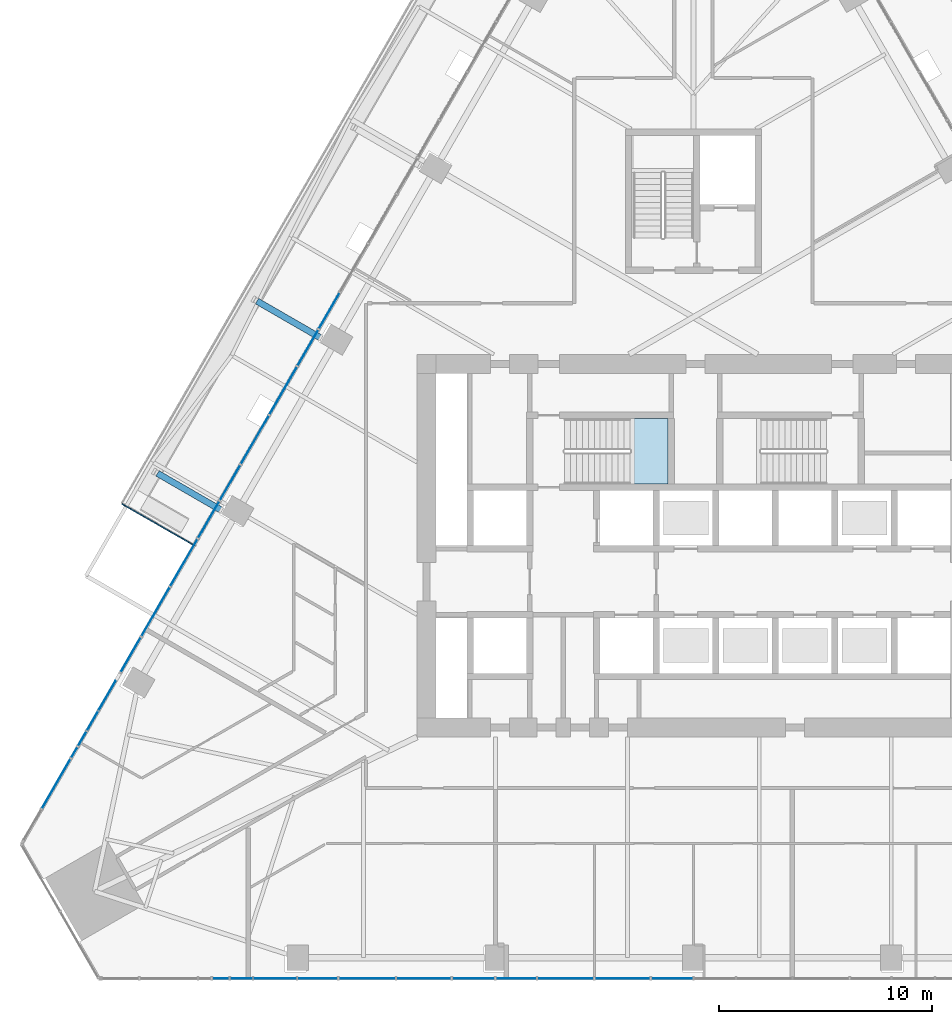
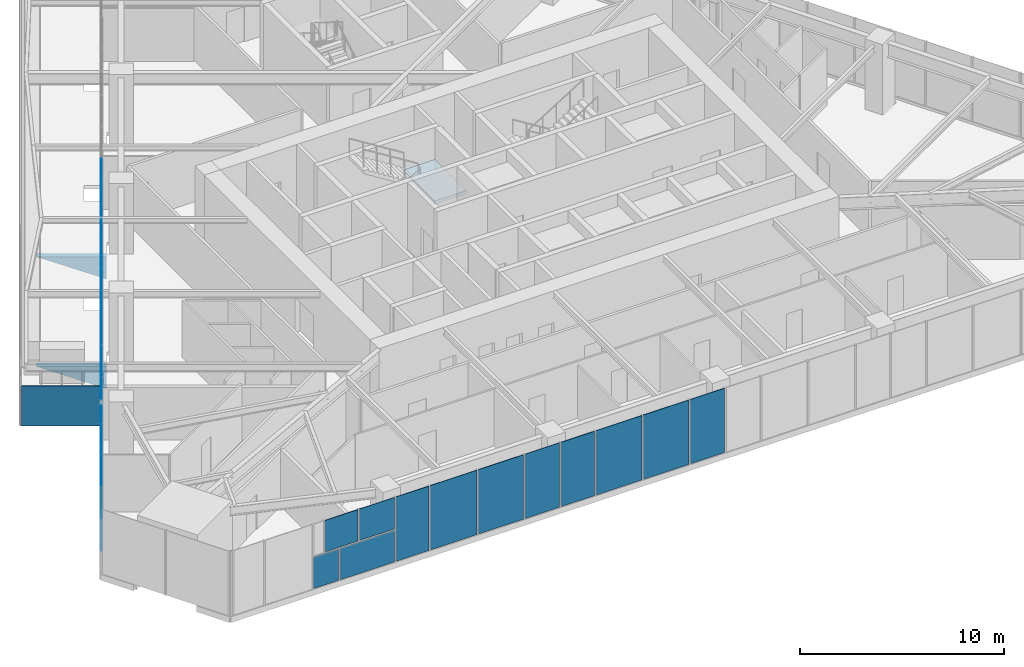
# One storey, part 11 of 26: 30 plates, 1 slab, 3 elements without a shape of their own.
"""IFC4 building model written with IfcOpenShell, lengths in metres."""

from ifc_helpers import new_model, si_unit, direction, frame, origin, place, context, subcontext, project, spatial, polyline, outline, extrude, material, layer, layer_set, type_object, element, aggregate, save


model = new_model("IFC4")

# Units and contexts
model_context = context("Model", 3, precision=1e-05, world=origin(), true_north=direction((0.0, 1.0)))
body_context = subcontext(model_context, "Body", "Model", "MODEL_VIEW")
ifc_project = project(units=[si_unit("LENGTHUNIT", "METRE"), si_unit("AREAUNIT", "SQUARE_METRE"), si_unit("VOLUMEUNIT", "CUBIC_METRE"), si_unit("PLANEANGLEUNIT", "RADIAN"), si_unit("MASSUNIT", "GRAM", prefix="KILO")], contexts=[model_context])

# Site, building, storey
site_placement = place(None, origin())
site = spatial("IfcSite", under=ifc_project, at=site_placement, CompositionType="ELEMENT")
building_placement = place(site_placement, origin())
building = spatial("IfcBuilding", under=site, at=building_placement, Name="Firuza Gate Tower and Library", CompositionType="ELEMENT")
storey_placement = place(building_placement, frame((0.0, 0.0, 115.60009765625)))
storey = spatial("IfcBuildingStorey", under=building, at=storey_placement, Name="L26", CompositionType="ELEMENT", Elevation=115.60009765625)

# Curtain wall, plates
ifc_material_1 = material(Name="Aluminium 6063-T6", Category="aluminium")
ifc_layer_1 = layer(ifc_material_1, 0.14990234375)
ifc_layer_set_1 = layer_set([ifc_layer_1], Name="Unitised curtain wall, offices")
curtain_wall_type = type_object("IfcCurtainWallType", Name="Unitised curtain wall, offices", PredefinedType="NOTDEFINED", material=ifc_layer_set_1)
placement = place(storey_placement, origin())
curtain_wall_1 = element("IfcCurtainWall", 1, at=placement, inside=storey, type_object=curtain_wall_type, Name="CW1 L26 S face", PredefinedType="NOTDEFINED")
ifc_material_2 = material(Name="Fritted glass", Category="glass")
ifc_layer_2 = layer(ifc_material_2, 0.030029296875)
ifc_layer_set_2 = layer_set([ifc_layer_2], Name="Fritted glass unit, offices")
plate_type_1 = type_object("IfcPlateType", Name="Fritted glass unit, offices", PredefinedType="CURTAIN_PANEL", material=ifc_layer_set_2)
plate_1_placement = place(storey_placement, frame((53.233154296875, 54.63623046875, 0.14990234375), z_axis=(0.0, -1.0, 0.0), x_axis=(1.0, 0.0, 0.0)))
plate_1 = element("IfcPlate", 2, at=plate_1_placement, type_object=plate_type_1, Name="Glass unit", PredefinedType="CURTAIN_PANEL", context=body_context, shape_type="SweptSolid", body=[
    extrude(outline(polyline([(0.0, 0.0), (3.087890625, 0.0), (3.087890625, 1.885009765625), (0.0, 1.885009765625), (0.0, 0.0)])), origin(), (0.0, 0.0, -1.0), 0.030029296875),
])
plate_2_placement = place(storey_placement, frame((54.3271484375, 54.63623046875, 2.114990234375), z_axis=(0.0, -1.0, 0.0), x_axis=(1.0, 0.0, 0.0)))
plate_2 = element("IfcPlate", 3, at=plate_2_placement, type_object=plate_type_1, Name="Glass unit", PredefinedType="CURTAIN_PANEL", context=body_context, shape_type="SweptSolid", body=[
    extrude(outline(polyline([(0.0, 0.0), (1.993896484375, 0.0), (1.993896484375, 1.885009765625), (0.0, 1.885009765625), (0.0, 0.0)])), origin(), (0.0, 0.0, -1.0), 0.030029296875),
])
plate_3_placement = place(storey_placement, frame((56.401123046875, 54.63623046875, 0.14990234375), z_axis=(0.0, -1.0, 0.0), x_axis=(1.0, 0.0, 0.0)))
plate_3 = element("IfcPlate", 4, at=plate_3_placement, type_object=plate_type_1, Name="Glass unit", PredefinedType="CURTAIN_PANEL", context=body_context, shape_type="SweptSolid", body=[
    extrude(outline(polyline([(0.0, 0.0), (1.854736328125, 0.0), (1.854736328125, 3.85009765625), (0.0, 3.85009765625), (0.0, 0.0)])), origin(), (0.0, 0.0, -1.0), 0.030029296875),
])
plate_4_placement = place(storey_placement, frame((63.681396484375, 54.63623046875, 0.14990234375), z_axis=(0.0, -1.0, 0.0), x_axis=(1.0, 0.0, 0.0)))
plate_4 = element("IfcPlate", 5, at=plate_4_placement, type_object=plate_type_1, Name="Glass unit", PredefinedType="CURTAIN_PANEL", context=body_context, shape_type="SweptSolid", body=[
    extrude(outline(polyline([(0.0, 0.0), (1.959228515625, 0.0), (1.959228515625, 3.85009765625), (0.0, 3.85009765625), (0.0, 0.0)])), origin(), (0.0, 0.0, -1.0), 0.030029296875),
])
plate_5_placement = place(storey_placement, frame((65.720458984375, 54.63623046875, 0.14990234375), z_axis=(0.0, -1.0, 0.0), x_axis=(1.0, 0.0, 0.0)))
plate_5 = element("IfcPlate", 6, at=plate_5_placement, type_object=plate_type_1, Name="Glass unit", PredefinedType="CURTAIN_PANEL", context=body_context, shape_type="SweptSolid", body=[
    extrude(outline(polyline([(0.0, 0.0), (1.8896484375, 0.0), (1.8896484375, 3.85009765625), (0.0, 3.85009765625), (0.0, 0.0)])), origin(), (0.0, 0.0, -1.0), 0.030029296875),
])
plate_6_placement = place(storey_placement, frame((73.03564453125, 54.63623046875, 0.14990234375), z_axis=(0.0, -1.0, 0.0), x_axis=(1.0, 0.0, 0.0)))
plate_6 = element("IfcPlate", 7, at=plate_6_placement, type_object=plate_type_1, Name="Glass unit", PredefinedType="CURTAIN_PANEL", context=body_context, shape_type="SweptSolid", body=[
    extrude(outline(polyline([(0.0, 0.0), (1.92431640625, 0.0), (1.92431640625, 3.85009765625), (0.0, 3.85009765625), (0.0, 0.0)])), origin(), (0.0, 0.0, -1.0), 0.030029296875),
])

curtain_wall_2 = element("IfcCurtainWall", 8, at=placement, inside=storey, type_object=curtain_wall_type, Name="CW1 L26 W face", PredefinedType="NOTDEFINED")
plate_7_placement = place(storey_placement, frame((58.3466796875, 86.883056640625, 0.14990234375), z_axis=(-0.866025015791, 0.500000672024, 0.0), x_axis=(-0.500000672024, -0.866025015791, 0.0)))
plate_7 = element("IfcPlate", 9, at=plate_7_placement, type_object=plate_type_1, Name="Glass unit", PredefinedType="CURTAIN_PANEL", context=body_context, shape_type="SweptSolid", body=[
    extrude(outline(polyline([(0.0, 0.0), (1.92431381988158, 0.0), (1.92431381988158, 3.850097656250001), (0.0, 3.850097656250001), (0.0, 0.0)])), origin(), (0.0, 0.0, -1.0), 0.030029296875),
])
plate_8_placement = place(storey_placement, frame((57.344482421875, 85.147216796875, 0.14990234375), z_axis=(-0.866025015791, 0.500000672024, 0.0), x_axis=(-0.500000672024, -0.866025015791, 0.0)))
plate_8 = element("IfcPlate", 10, at=plate_8_placement, type_object=plate_type_1, Name="Glass unit", PredefinedType="CURTAIN_PANEL", context=body_context, shape_type="SweptSolid", body=[
    extrude(outline(polyline([(0.0, 0.0), (1.92431381988158, 0.0), (1.92431381988158, 3.850097656250001), (0.0, 3.850097656250001), (0.0, 0.0)])), origin(), (0.0, 0.0, -1.0), 0.030029296875),
])
plate_9_placement = place(storey_placement, frame((53.66943359375, 78.781982421875, 0.14990234375), z_axis=(-0.86602422079, 0.500002049001, 0.0), x_axis=(-0.500002049001, -0.86602422079, 0.0)))
plate_9 = element("IfcPlate", 11, at=plate_9_placement, type_object=plate_type_1, Name="Glass unit", PredefinedType="CURTAIN_PANEL", context=body_context, shape_type="SweptSolid", body=[
    extrude(outline(polyline([(0.0, 0.0), (1.889640693747255, 0.0), (1.889640693747255, 3.85009765625), (0.0, 3.85009765625), (0.0, 0.0)])), origin(), (0.0, 0.0, -1.0), 0.030029296875),
])
plate_10_placement = place(storey_placement, frame((52.684814453125, 77.076416015625, 0.14990234375), z_axis=(-0.866056934013, 0.499945384066, 0.0), x_axis=(-0.499945384066, -0.866056934013, 0.0)))
plate_10 = element("IfcPlate", 12, at=plate_10_placement, type_object=plate_type_1, Name="Glass unit", PredefinedType="CURTAIN_PANEL", context=body_context, shape_type="SweptSolid", body=[
    extrude(outline(polyline([(0.0, 0.0), (1.9591983818993017, 0.0), (1.9591983818993017, 3.85009765625), (0.0, 3.85009765625), (0.0, 0.0)])), origin(), (0.0, 0.0, -1.0), 0.030029296875),
])
plate_11_placement = place(storey_placement, frame((48.992431640625, 70.68115234375, 0.14990234375), z_axis=(-0.866023396066, 0.500003477455, 0.0), x_axis=(-0.500003477455, -0.866023396066, 0.0)))
plate_11 = element("IfcPlate", 13, at=plate_11_placement, type_object=plate_type_1, Name="Glass unit", PredefinedType="CURTAIN_PANEL", context=body_context, shape_type="SweptSolid", body=[
    extrude(outline(polyline([(0.0, 0.0), (1.8549675676178854, 0.0), (1.8549675676178854, 3.85009765625), (0.0, 3.85009765625), (0.0, 0.0)])), origin(), (0.0, 0.0, -1.0), 0.030029296875),
])
plate_12_placement = place(storey_placement, frame((47.81591796875, 68.643310546875, 0.14990234375), z_axis=(-0.866005883338, 0.50003380888, 0.0), x_axis=(-0.50003380888, -0.866005883338, 0.0)))
plate_12 = element("IfcPlate", 14, at=plate_12_placement, type_object=plate_type_1, Name="Glass unit", PredefinedType="CURTAIN_PANEL", context=body_context, shape_type="SweptSolid", body=[
    extrude(outline(polyline([(0.0, 0.0), (2.6697413530692837, 0.0), (2.6697413530692837, 1.885009765625), (0.0, 1.885009765625), (0.0, 0.0)])), origin(), (0.0, 0.0, -1.0), 0.030029296875),
])
plate_13_placement = place(storey_placement, frame((47.81591796875, 68.643310546875, 2.114990234375), z_axis=(-0.86601269935, 0.50002200408, 0.0), x_axis=(-0.50002200408, -0.86601269935, 0.0)))
plate_13 = element("IfcPlate", 15, at=plate_13_placement, type_object=plate_type_1, Name="Glass unit", PredefinedType="CURTAIN_PANEL", context=body_context, shape_type="SweptSolid", body=[
    extrude(outline(polyline([(0.0, 0.0), (1.5756142538658275, 0.0), (1.5756142538658275, 1.885009765625), (0.0, 1.885009765625), (0.0, 0.0)])), origin(), (0.0, 0.0, -1.0), 0.030029296875),
])
plate_14_placement = place(storey_placement, frame((46.017822265625, 65.52880859375, 2.114990234375), z_axis=(-0.865948210146, 0.500133679476, 0.0), x_axis=(-0.500133679476, -0.865948210146, 0.0)))
plate_14 = element("IfcPlate", 16, at=plate_14_placement, type_object=plate_type_1, Name="Glass unit", PredefinedType="CURTAIN_PANEL", context=body_context, shape_type="SweptSolid", body=[
    extrude(outline(polyline([(0.0, 0.0), (0.5652785552183779, 0.0), (0.5652785552183779, 1.885009765625), (0.0, 1.885009765625), (0.0, 0.0)])), origin(), (0.0, 0.0, -1.0), 0.030029296875),
])

# Plate
ifc_material_3 = material(Name="Glazed ceramic tile")
ifc_layer_3 = layer(ifc_material_3, 0.030029296875)
ifc_layer_set_3 = layer_set([ifc_layer_3], Name="Opaque ceramic panel, offices")
plate_type_2 = type_object("IfcPlateType", Name="Opaque ceramic panel, offices", PredefinedType="CURTAIN_PANEL", material=ifc_layer_set_3)
plate_15_placement = place(storey_placement, frame((51.7412109375, 54.63623046875, 0.14990234375), z_axis=(0.0, -1.0, 0.0), x_axis=(1.0, 0.0, 0.0)))
plate_15 = element("IfcPlate", 17, at=plate_15_placement, type_object=plate_type_2, Name="Opaque ceramic panel", PredefinedType="CURTAIN_PANEL", context=body_context, shape_type="SweptSolid", body=[
    extrude(outline(polyline([(0.0, 0.0), (1.411865234375, 0.0), (1.411865234375, 1.885009765625), (0.0, 1.885009765625), (0.0, 0.0)])), origin(), (0.0, 0.0, -1.0), 0.030029296875),
])

plate_16_placement = place(storey_placement, frame((52.386474609375, 54.63623046875, 2.114990234375), z_axis=(0.0, -1.0, 0.0), x_axis=(1.0, 0.0, 0.0)))
plate_16 = element("IfcPlate", 18, at=plate_16_placement, type_object=plate_type_2, Name="Opaque ceramic panel", PredefinedType="CURTAIN_PANEL", context=body_context, shape_type="SweptSolid", body=[
    extrude(outline(polyline([(0.0, 0.0), (1.86083984375, 0.0), (1.86083984375, 1.885009765625), (0.0, 1.885009765625), (0.0, 0.0)])), origin(), (0.0, 0.0, -1.0), 0.030029296875),
])

plate_17_placement = place(storey_placement, frame((58.3359375, 54.63623046875, 0.14990234375), z_axis=(0.0, -1.0, 0.0), x_axis=(1.0, 0.0, 0.0)))
plate_17 = element("IfcPlate", 19, at=plate_17_placement, type_object=plate_type_2, Name="Opaque ceramic panel", PredefinedType="CURTAIN_PANEL", context=body_context, shape_type="SweptSolid", body=[
    extrude(outline(polyline([(0.0, 0.0), (2.644775390625, 0.0), (2.644775390625, 3.85009765625), (0.0, 3.85009765625), (0.0, 0.0)])), origin(), (0.0, 0.0, -1.0), 0.030029296875),
])

plate_18_placement = place(storey_placement, frame((61.060791015625, 54.63623046875, 0.14990234375), z_axis=(0.0, -1.0, 0.0), x_axis=(1.0, 0.0, 0.0)))
plate_18 = element("IfcPlate", 20, at=plate_18_placement, type_object=plate_type_2, Name="Opaque ceramic panel", PredefinedType="CURTAIN_PANEL", context=body_context, shape_type="SweptSolid", body=[
    extrude(outline(polyline([(0.0, 0.0), (2.540771484375, 0.0), (2.540771484375, 3.85009765625), (0.0, 3.85009765625), (0.0, 0.0)])), origin(), (0.0, 0.0, -1.0), 0.030029296875),
])

plate_19_placement = place(storey_placement, frame((67.690185546875, 54.63623046875, 0.14990234375), z_axis=(0.0, -1.0, 0.0), x_axis=(1.0, 0.0, 0.0)))
plate_19 = element("IfcPlate", 21, at=plate_19_placement, type_object=plate_type_2, Name="Opaque ceramic panel", PredefinedType="CURTAIN_PANEL", context=body_context, shape_type="SweptSolid", body=[
    extrude(outline(polyline([(0.0, 0.0), (2.610107421875, 0.0), (2.610107421875, 3.85009765625), (0.0, 3.85009765625), (0.0, 0.0)])), origin(), (0.0, 0.0, -1.0), 0.030029296875),
])

plate_20_placement = place(storey_placement, frame((70.38037109375, 54.63623046875, 0.14990234375), z_axis=(0.0, -1.0, 0.0), x_axis=(1.0, 0.0, 0.0)))
plate_20 = element("IfcPlate", 22, at=plate_20_placement, type_object=plate_type_2, Name="Opaque ceramic panel", PredefinedType="CURTAIN_PANEL", context=body_context, shape_type="SweptSolid", body=[
    extrude(outline(polyline([(0.0, 0.0), (2.5751953125, 0.0), (2.5751953125, 3.85009765625), (0.0, 3.85009765625), (0.0, 0.0)])), origin(), (0.0, 0.0, -1.0), 0.030029296875),
])

aggregate(curtain_wall_1, [plate_15, plate_1, plate_16, plate_2, plate_3, plate_17, plate_18, plate_4, plate_5, plate_19, plate_20, plate_6])

plate_21_placement = place(storey_placement, frame((56.34228515625, 83.411376953125, 0.14990234375), z_axis=(-0.866029291668, 0.499993265928, 0.0), x_axis=(-0.499993265928, -0.866029291668, 0.0)))
plate_21 = element("IfcPlate", 23, at=plate_21_placement, type_object=plate_type_2, Name="Opaque ceramic panel", PredefinedType="CURTAIN_PANEL", context=body_context, shape_type="SweptSolid", body=[
    extrude(outline(polyline([(0.0, 0.0), (2.57522999606683, 0.0), (2.57522999606683, 3.85009765625), (0.0, 3.85009765625), (0.0, 0.0)])), origin(), (0.0, 0.0, -1.0), 0.030029296875),
])

plate_22_placement = place(storey_placement, frame((55.0146484375, 81.11181640625, 0.14990234375), z_axis=(-0.866012692104, 0.500022016631, 0.0), x_axis=(-0.500022016631, -0.866012692104, 0.0)))
plate_22 = element("IfcPlate", 24, at=plate_22_placement, type_object=plate_type_2, Name="Opaque ceramic panel", PredefinedType="CURTAIN_PANEL", context=body_context, shape_type="SweptSolid", body=[
    extrude(outline(polyline([(0.0, 0.0), (2.6102366252673797, 0.0), (2.6102366252673797, 3.85009765625), (0.0, 3.85009765625), (0.0, 0.0)])), origin(), (0.0, 0.0, -1.0), 0.030029296875),
])

plate_23_placement = place(storey_placement, frame((51.665283203125, 75.310546875, 0.14990234375), z_axis=(-0.866011173231, 0.500024647231, 0.0), x_axis=(-0.500024647231, -0.866011173231, 0.0)))
plate_23 = element("IfcPlate", 25, at=plate_23_placement, type_object=plate_type_2, Name="Opaque ceramic panel", PredefinedType="CURTAIN_PANEL", context=body_context, shape_type="SweptSolid", body=[
    extrude(outline(polyline([(0.0, 0.0), (2.5408903731748413, 0.0), (2.5408903731748413, 3.85009765625), (0.0, 3.85009765625), (0.0, 0.0)])), origin(), (0.0, 0.0, -1.0), 0.030029296875),
])

plate_24_placement = place(storey_placement, frame((50.354736328125, 73.040771484375, 0.14990234375), z_axis=(-0.866053391456, 0.499951520798, 0.0), x_axis=(-0.499951520798, -0.866053391456, 0.0)))
plate_24 = element("IfcPlate", 26, at=plate_24_placement, type_object=plate_type_2, Name="Opaque ceramic panel", PredefinedType="CURTAIN_PANEL", context=body_context, shape_type="SweptSolid", body=[
    extrude(outline(polyline([(0.0, 0.0), (2.6447876843941693, 0.0), (2.6447876843941693, 3.85009765625), (0.0, 3.85009765625), (0.0, 0.0)])), origin(), (0.0, 0.0, -1.0), 0.030029296875),
])

plate_25_placement = place(storey_placement, frame((46.441162109375, 66.261962890625, 0.14990234375), z_axis=(-0.86597823907, 0.500081682786, 0.0), x_axis=(-0.500081682786, -0.86597823907, 0.0)))
plate_25 = element("IfcPlate", 27, at=plate_25_placement, type_object=plate_type_2, Name="Opaque ceramic panel", PredefinedType="CURTAIN_PANEL", context=body_context, shape_type="SweptSolid", body=[
    extrude(outline(polyline([(0.0, 0.0), (1.411878722626269, 0.0), (1.411878722626269, 1.885009765625), (0.0, 1.885009765625), (0.0, 0.0)])), origin(), (0.0, 0.0, -1.0), 0.030029296875),
])

plate_26_placement = place(storey_placement, frame((46.988037109375, 67.20947265625, 2.114990234375), z_axis=(-0.866030467032, 0.499991230095, 0.0), x_axis=(-0.499991230095, -0.866030467032, 0.0)))
plate_26 = element("IfcPlate", 28, at=plate_26_placement, type_object=plate_type_2, Name="Opaque ceramic panel", PredefinedType="CURTAIN_PANEL", context=body_context, shape_type="SweptSolid", body=[
    extrude(outline(polyline([(0.0, 0.0), (1.8608724830986074, 0.0), (1.8608724830986074, 1.885009765625), (0.0, 1.885009765625), (0.0, 0.0)])), origin(), (0.0, 0.0, -1.0), 0.030029296875),
])

plate_27_placement = place(storey_placement, frame((45.695068359375, 64.969970703125, 0.14990234375), z_axis=(-0.866014132353, 0.500019522183, 0.0), x_axis=(-0.500019522183, -0.866014132353, 0.0)))
plate_27 = element("IfcPlate", 29, at=plate_27_placement, type_object=plate_type_2, Name="Opaque ceramic panel", PredefinedType="CURTAIN_PANEL", context=body_context, shape_type="SweptSolid", body=[
    extrude(outline(polyline([(0.0, 0.0), (2.6795828773827552, 0.0), (2.6795828773827552, 3.85009765625), (0.0, 3.85009765625), (0.0, 0.0)])), origin(), (0.0, 0.0, -1.0), 0.030029296875),
])

aggregate(curtain_wall_2, [plate_7, plate_8, plate_21, plate_22, plate_9, plate_10, plate_23, plate_24, plate_11, plate_12, plate_25, plate_13, plate_26, plate_14, plate_27])

# Stair, slab
ifc_material_4 = material(Name="Concrete C35/45", Category="concrete")
stair_type = type_object("IfcStairType", Name="Exit stair ST5", PredefinedType="HALF_TURN_STAIR", material=ifc_material_4)
stair = element("IfcStair", 30, at=placement, inside=storey, type_object=stair_type, Name="L26 Stair ST1", PredefinedType="HALF_TURN_STAIR")
ifc_material_5 = material(Name="Concrete C35/45", Category="concrete")
ifc_layer_4 = layer(ifc_material_5, 0.199951171875)
ifc_layer_set_4 = layer_set([ifc_layer_4], Name="Stair landing 200")
slab_type = type_object("IfcSlabType", Name="Stair landing 200", PredefinedType="LANDING", material=ifc_layer_set_4)
slab_placement = place(storey_placement, frame((0.0, 0.0, 1.89990234375)))
slab = element("IfcSlab", 31, at=slab_placement, type_object=slab_type, Name="ST1 landing 1", PredefinedType="LANDING", context=body_context, shape_type="SweptSolid", body=[
    extrude(outline(polyline([(72.02001953125, 77.89990234375), (73.81005859375, 77.89990234375), (73.81005859375, 80.97998046875), (72.02001953125, 80.97998046875), (72.02001953125, 77.89990234375)])), origin(), (0.0, 0.0, 1.0), 0.199951171875),
])
aggregate(stair, [slab])

# Plates
ifc_material_6 = material(Name="Steel S355", Category="steel")
ifc_layer_5 = layer(ifc_material_6, 0.300048828125)
ifc_layer_set_5 = layer_set([ifc_layer_5], Name="Tray bracket web 300 Steel S355")
plate_type_3 = type_object("IfcPlateType", Name="Tray bracket web 300 Steel S355", PredefinedType="SHEET", material=ifc_layer_set_5)
for number, where, z_axis, x_axis, name in (
    (32, (57.373046875, 84.656982421875, -0.2001953125), (-0.500081895979, -0.865978115955, 0.0), (-0.865978115955, 0.500081895979, 0.0), "Tray bracket web L26 col:L25:W3"),
    (33, (52.696044921875, 76.555908203125, -0.2001953125), (-0.500081895979, -0.865978115955, 0.0), (-0.865978115955, 0.500081895979, 0.0), "Tray bracket web L26 col:L25:W4"),
):
    element("IfcPlate", number, at=place(storey_placement, frame(where, z_axis=z_axis, x_axis=x_axis)), inside=storey, type_object=plate_type_3, Name=name, PredefinedType="SHEET", context=body_context, shape_type="SweptSolid", body=[
        extrude(outline(polyline([(0.0, 0.0), (3.429614038049955, 0.0), (0.0, 1.333984375), (0.0, 0.0)])), origin(), (0.0, 0.0, -1.0), 0.300048828125),
    ])
ifc_material_7 = material(Name="Aluminium 6063-T6", Category="aluminium")
ifc_layer_6 = layer(ifc_material_7, 0.050048828125)
ifc_layer_set_6 = layer_set([ifc_layer_6], Name="Tray fascia panel 50")
plate_type_4 = type_object("IfcPlateType", Name="Tray fascia panel 50", PredefinedType="SHEET", material=ifc_layer_set_6)
plate_28_placement = place(storey_placement, frame((48.126953125, 76.94189453125, -2.400146484375), z_axis=(-0.49999779889, -0.866026674592, 0.0), x_axis=(0.866026674592, -0.49999779889, 0.0)))
element("IfcPlate", 34, at=plate_28_placement, inside=storey, type_object=plate_type_4, Name="Tray fascia L26 4", PredefinedType="SHEET", context=body_context, shape_type="SweptSolid", body=[
    extrude(outline(polyline([(0.0, 0.0), (3.9399587508162695, 0.0), (3.9399587508162695, 2.400146484375), (0.0, 2.400146484375), (0.0, 0.0)])), origin(), (0.0, 0.0, -1.0), 0.050048828125),
])

save(model, "model.ifc")
